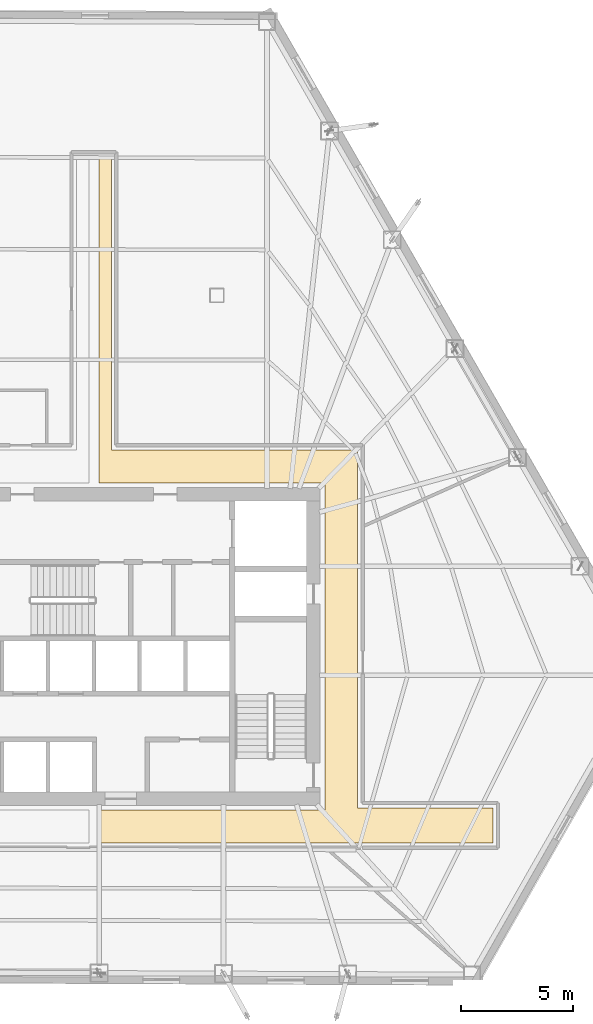
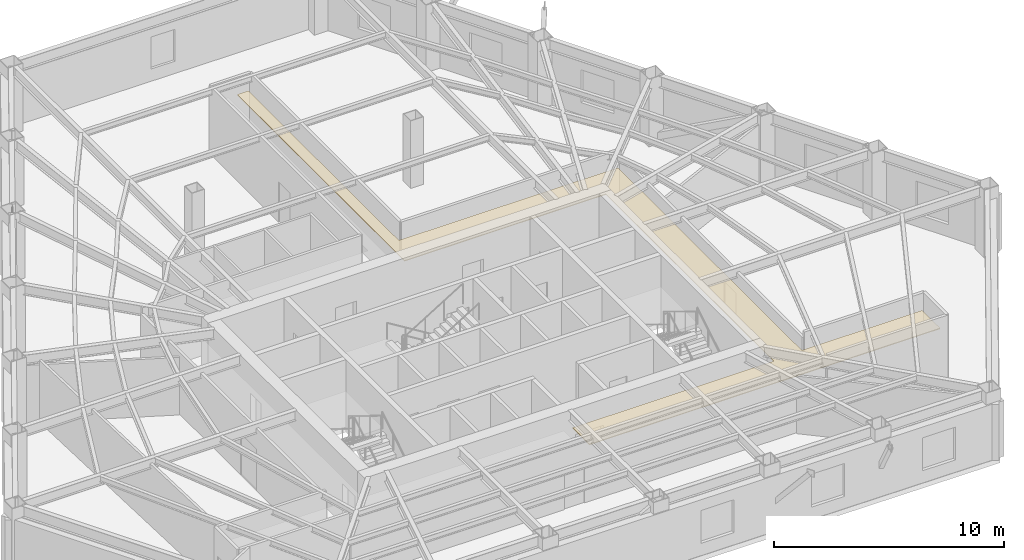
# One storey, part 13 of 13: 1 covering.
"""IFC4 building model written with IfcOpenShell, lengths in metres."""

from ifc_helpers import new_model, si_unit, direction, frame, origin, place, context, subcontext, project, spatial, polyline, outline, extrude, material, layer, layer_set, type_object, element, save


model = new_model("IFC4")

# Units and contexts
model_context = context("Model", 3, precision=1e-05, world=origin(), true_north=direction((0.0, 1.0)))
body_context = subcontext(model_context, "Body", "Model", "MODEL_VIEW")
ifc_project = project(units=[si_unit("LENGTHUNIT", "METRE"), si_unit("AREAUNIT", "SQUARE_METRE"), si_unit("VOLUMEUNIT", "CUBIC_METRE"), si_unit("PLANEANGLEUNIT", "RADIAN"), si_unit("MASSUNIT", "GRAM", prefix="KILO")], contexts=[model_context])

# Site, building, storey
site_placement = place(None, origin())
site = spatial("IfcSite", under=ifc_project, at=site_placement, CompositionType="ELEMENT")
building_placement = place(site_placement, origin())
building = spatial("IfcBuilding", under=site, at=building_placement, Name="Kavelnor Concourse Tower", CompositionType="ELEMENT")
storey_placement = place(building_placement, frame((0.0, 0.0, 36.800048828125)))
storey = spatial("IfcBuildingStorey", under=building, at=storey_placement, Name="L09", CompositionType="ELEMENT", Elevation=36.800048828125)

# Covering
ifc_material = material(Name="Mineral fibre acoustic ceiling tile")
ifc_layer = layer(ifc_material, 0.0400390625, Name="Mineral fibre acoustic ceiling tile")
ifc_layer_set = layer_set([ifc_layer], Name="Mineral fibre acoustic ceiling tile")
covering_type = type_object("IfcCoveringType", Name="COV-CEILING-ACOUSTIC", PredefinedType="CEILING", material=ifc_layer_set)
covering_placement = place(storey_placement, frame((0.0, 0.0, 2.75)))
element("IfcCovering", 1, at=covering_placement, inside=storey, type_object=covering_type, Name="L09 Suspended Acoustic Ceiling", PredefinedType="CEILING", context=body_context, shape_type="SweptSolid", body=[
    extrude(outline(polyline([(38.780029296875, 37.97998046875), (38.780029296875, 24.8798828125), (49.800048828125, 24.8798828125), (49.800048828125, 8.8798828125), (55.855712890625, 8.8798828125), (55.855712890625, 7.320068359375), (38.22509765625, 7.320068359375), (38.22509765625, 8.780029296875), (48.340087890625, 8.780029296875), (48.340087890625, 23.419921875), (38.22509765625, 23.419921875), (38.22509765625, 37.97998046875), (38.780029296875, 37.97998046875)])), origin(), (0.0, 0.0, 1.0), 0.0400390625),
])

save(model, "model.ifc")
